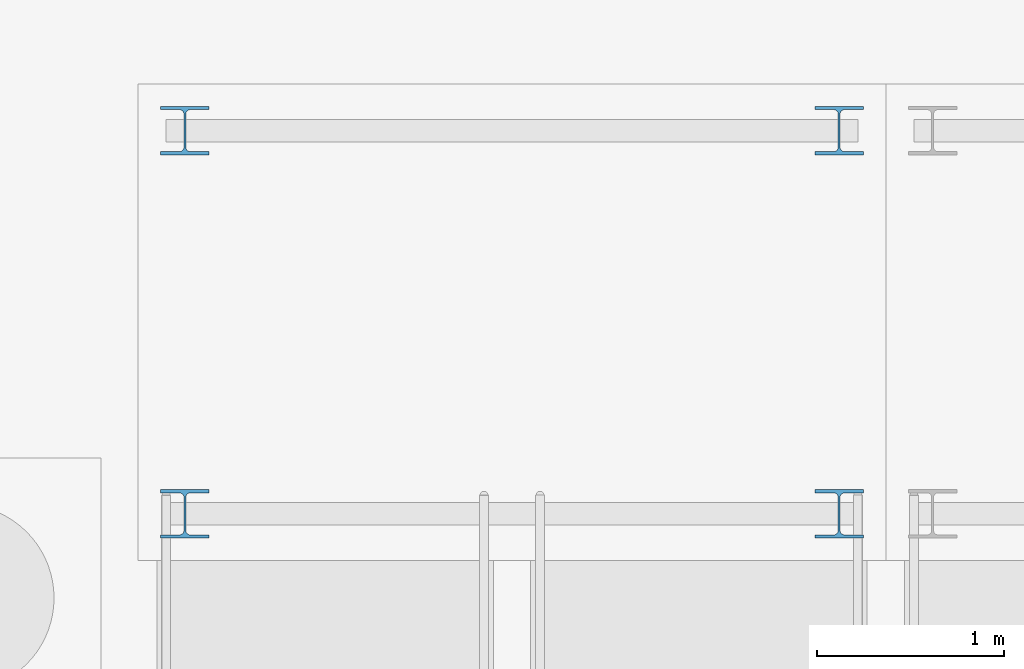
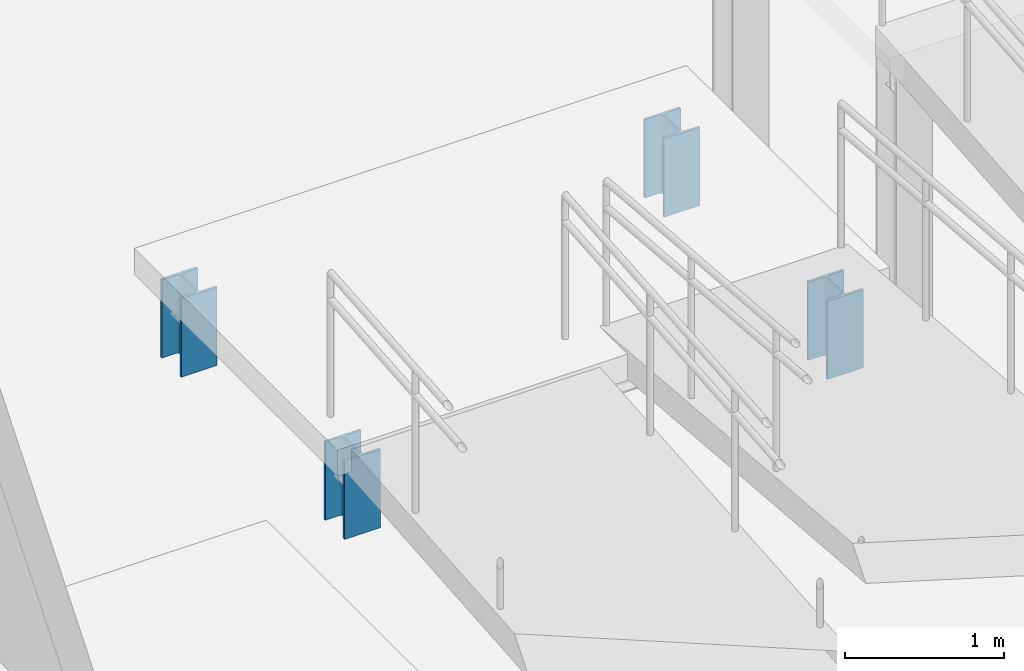
# One storey, part 23 of 73: 4 columns.
"""IFC4 building model written with IfcOpenShell, lengths in metres."""

from ifc_helpers import new_model, si_unit, direction, frame, origin, origin_2d, place, context, subcontext, project, spatial, i_section, extrude, material, material_profile, profile_set, type_object, element, save


model = new_model("IFC4")

# Units and contexts
model_context = context("Model", 3, precision=1e-05, world=origin(), true_north=direction((0.0, 1.0)))
body_context = subcontext(model_context, "Body", "Model", "MODEL_VIEW")
ifc_project = project(units=[si_unit("LENGTHUNIT", "METRE"), si_unit("AREAUNIT", "SQUARE_METRE"), si_unit("VOLUMEUNIT", "CUBIC_METRE"), si_unit("PLANEANGLEUNIT", "RADIAN"), si_unit("MASSUNIT", "GRAM", prefix="KILO")], contexts=[model_context])

# Site, building, storey
site_placement = place(None, origin())
site = spatial("IfcSite", under=ifc_project, at=site_placement, CompositionType="ELEMENT")
building_placement = place(site_placement, origin())
building = spatial("IfcBuilding", under=site, at=building_placement, Name="Tasgan Crest Museum", CompositionType="ELEMENT")
storey_placement = place(building_placement, origin())
storey = spatial("IfcBuildingStorey", under=building, at=storey_placement, Name="L00", CompositionType="ELEMENT", Elevation=0.0)

# Columns
ifc_material = material(Name="Steel S355J2", Category="steel")
ifc_material_profile = material_profile(ifc_material, i_section(OverallWidth=0.260009765625, OverallDepth=0.260009765625, WebThickness=0.010009765625, FlangeThickness=0.017578125, FilletRadius=0.02392578125, at=origin_2d()), Name="HEB 260")
ifc_profile_set = profile_set([ifc_material_profile], Name="Steel S355J2")
column_type = type_object("IfcColumnType", Name="COL-RAMP-HEB260", PredefinedType="COLUMN", material=ifc_profile_set)
for number, where, z_axis, x_axis, name in (
    (1, (56.449951171875, 63.699951171875, 0.0), (0.0, 0.0, 1.0), (1.0, 0.0, 0.0), "Ramp landing post 1"),
    (2, (56.449951171875, 65.75, 0.0), (0.0, 0.0, 1.0), (1.0, 0.0, 0.0), "Ramp landing post 1"),
    (3, (59.949951171875, 63.699951171875, 0.0), (0.0, 0.0, 1.0), (1.0, 0.0, 0.0), "Ramp landing post 1"),
    (4, (59.949951171875, 65.75, 0.0), (0.0, 0.0, 1.0), (1.0, 0.0, 0.0), "Ramp landing post 1"),
):
    element("IfcColumn", number, at=place(storey_placement, frame(where, z_axis=z_axis, x_axis=x_axis)), inside=storey, type_object=column_type, Name=name, PredefinedType="COLUMN", context=body_context, shape_type="SweptSolid", body=[
        extrude(i_section(OverallWidth=0.260009765625, OverallDepth=0.260009765625, WebThickness=0.010009765625, FlangeThickness=0.017578125, FilletRadius=0.02392578125, at=origin_2d()), origin(), (0.0, 0.0, 1.0), 0.60009765625),
    ])

save(model, "model.ifc")
